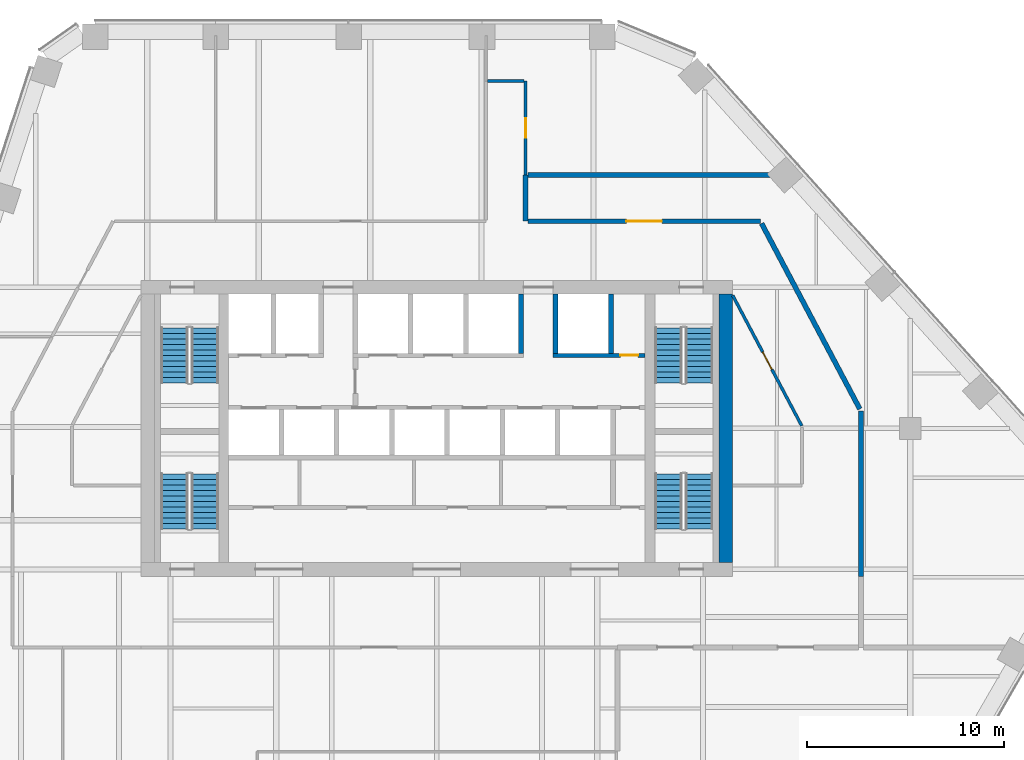
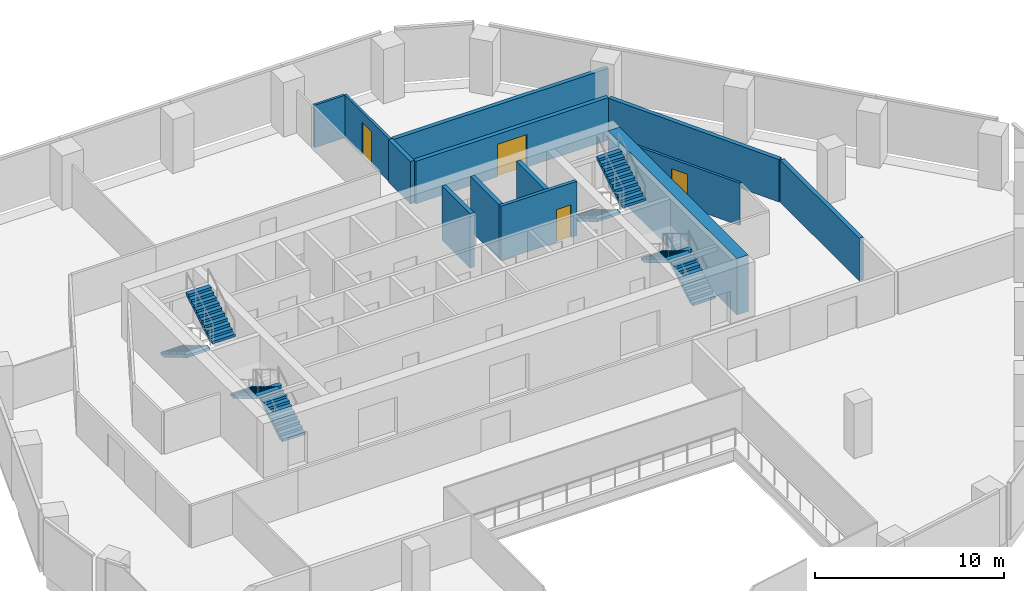
# One storey, part 13 of 16: 13 walls, 8 stair flights, 4 doors, 4 openings, 4 elements without a shape of their own.
"""IFC4 building model written with IfcOpenShell, lengths in metres."""

from ifc_helpers import new_model, si_unit, direction, frame, frame_2d, origin, place, context, subcontext, project, spatial, polyline, rectangle, outline, extrude, material, layer, layer_set, type_object, element, fill, aggregate, save


model = new_model("IFC4")

# Units and contexts
model_context = context("Model", 3, precision=1e-05, world=origin(), true_north=direction((0.0, 1.0)))
body_context = subcontext(model_context, "Body", "Model", "MODEL_VIEW")
ifc_project = project(units=[si_unit("LENGTHUNIT", "METRE"), si_unit("AREAUNIT", "SQUARE_METRE"), si_unit("VOLUMEUNIT", "CUBIC_METRE"), si_unit("PLANEANGLEUNIT", "RADIAN"), si_unit("MASSUNIT", "GRAM", prefix="KILO")], contexts=[model_context])

# Site, building, storey
site_placement = place(None, origin())
site = spatial("IfcSite", under=ifc_project, at=site_placement, CompositionType="ELEMENT")
building_placement = place(site_placement, origin())
building = spatial("IfcBuilding", under=site, at=building_placement, Name="Isthmus Gate Tower", CompositionType="ELEMENT")
storey_placement = place(building_placement, frame((0.0, 0.0, 170.800048828125)))
storey = spatial("IfcBuildingStorey", under=building, at=storey_placement, Name="L42", CompositionType="ELEMENT", Elevation=170.800048828125)

# Walls
ifc_material_1 = material(Name="Double-leaf acoustic stud wall, fire-rated", Category="gypsum")
ifc_layer_1 = layer(ifc_material_1, 0.25)
ifc_layer_set_1 = layer_set([ifc_layer_1], Name="ACOUSTIC WALL 250 60 MIN")
wall_type_1 = type_object("IfcWallType", Name="ACOUSTIC WALL 250 60 MIN", PredefinedType="PARTITIONING", material=ifc_layer_set_1)
wall_1_placement = place(storey_placement, frame((4.5, 20.341064453125, 0.0), z_axis=(0.0, 0.0, 1.0), x_axis=(0.0, -1.0, 0.0)))
element("IfcWall", 1, at=wall_1_placement, inside=storey, type_object=wall_type_1, Name="L42 Acoustic Wall 250 60 Min", PredefinedType="PARTITIONING", context=body_context, shape_type="SweptSolid", body=[
    extrude(rectangle(XDim=2.341064453125, YDim=0.25, at=frame_2d((1.17041015625, 0.0))), origin(), (0.0, 0.0, 1.0), 2.7412109375),
])
wall_2_placement = place(storey_placement, frame((21.5, 8.373046875, 0.0), z_axis=(0.0, 0.0, 1.0), x_axis=(0.0, -1.0, 0.0)))
element("IfcWall", 2, at=wall_2_placement, inside=storey, type_object=wall_type_1, Name="L42 Acoustic Wall 250 60 Min", PredefinedType="PARTITIONING", context=body_context, shape_type="SweptSolid", body=[
    extrude(rectangle(XDim=8.373046875, YDim=0.25, at=frame_2d((4.1865234375, 0.0))), origin(), (0.0, 0.0, 1.0), 2.7412109375),
])
wall_3_placement = place(storey_placement, frame((4.625, 20.341064453125, 0.0), z_axis=(0.0, 0.0, 1.0), x_axis=(1.0, 0.0, 0.0)))
element("IfcWall", 3, at=wall_3_placement, inside=storey, type_object=wall_type_1, Name="L42 Acoustic Wall 250 60 Min", PredefinedType="PARTITIONING", context=body_context, shape_type="SweptSolid", body=[
    extrude(rectangle(XDim=13.10595703125, YDim=0.25, at=frame_2d((6.552978515625, 0.0))), origin(), (0.0, 0.0, 1.0), 2.7412109375),
])

# Wall, opening, door
wall_4_placement = place(storey_placement, frame((4.625, 18.0, 0.0), z_axis=(0.0, 0.0, 1.0), x_axis=(1.0, 0.0, 0.0)))
wall_4 = element("IfcWall", 4, at=wall_4_placement, inside=storey, type_object=wall_type_1, Name="L42 Acoustic Wall 250 60 Min", PredefinedType="PARTITIONING", context=body_context, shape_type="SweptSolid", body=[
    extrude(rectangle(XDim=11.778076171875, YDim=0.25, at=frame_2d((5.88916015625, 0.0))), origin(), (0.0, 0.0, 1.0), 2.7412109375),
])
opening_1_placement = place(wall_4_placement, frame((4.989013671875, 0.0, 0.0)))
opening_1 = element("IfcOpeningElement", 5, at=opening_1_placement, cuts=wall_4, Name="Opening DT-T4A-06", PredefinedType="OPENING", context=body_context, shape_type="SweptSolid", body=[
    extrude(rectangle(XDim=1.800048828125, YDim=2.10009765625, at=frame_2d((0.89990234375, 1.050048828125))), frame((0.0, 0.135009765625, 0.0), z_axis=(0.0, -1.0, 0.0), x_axis=(1.0, 0.0, 0.0)), (0.0, 0.0, 1.0), 0.27001953125),
])
ifc_material_2 = material(Name="Solid core timber door leaf, fire-rated", Category="wood")
door_type_1 = type_object("IfcDoorType", Name="FIRE DOOR ACOUSTIC ROOM 1800 X 2100 60 MIN", OperationType="DOUBLE_DOOR_DOUBLE_SWING", PredefinedType="DOOR", material=ifc_material_2)
door_1_placement = place(opening_1_placement, origin())
door_1 = element("IfcDoor", 6, at=door_1_placement, inside=storey, type_object=door_type_1, Name="L42 room door", OperationType="DOUBLE_DOOR_DOUBLE_SWING", OverallHeight=2.10009765625, OverallWidth=1.800048828125, PredefinedType="DOOR", context=body_context, shape_type="SweptSolid", body=[
    extrude(rectangle(XDim=1.800048828125, YDim=2.10009765625, at=frame_2d((0.89990234375, 1.050048828125))), frame((0.0, 0.02490234375, 0.0), z_axis=(0.0, -1.0, 0.0), x_axis=(1.0, 0.0, 0.0)), (0.0, 0.0, 1.0), 0.050048828125),
])
fill(opening_1, door_1)

# Wall
wall_5_placement = place(storey_placement, frame((16.46142578125, 17.889404296875, 0.0), z_axis=(0.0, 0.0, 1.0), x_axis=(0.467911961302, -0.883775082513, 0.0)))
element("IfcWall", 7, at=wall_5_placement, inside=storey, type_object=wall_type_1, Name="L42 Acoustic Wall 250 60 Min", PredefinedType="PARTITIONING", context=body_context, shape_type="SweptSolid", body=[
    extrude(rectangle(XDim=10.64306640625, YDim=0.25, at=frame_2d((5.321533203125, 0.0))), origin(), (0.0, 0.0, 1.0), 2.7412109375),
])

# Wall, opening, door
ifc_material_3 = material(Name="Gypsum board on steel studs, fire-rated", Category="steel")
ifc_layer_2 = layer(ifc_material_3, 0.14990234375)
ifc_layer_set_2 = layer_set([ifc_layer_2], Name="CORRIDOR WALL 150 60 MIN")
wall_type_2 = type_object("IfcWallType", Name="CORRIDOR WALL 150 60 MIN", PredefinedType="PARTITIONING", material=ifc_layer_set_2)
wall_6_placement = place(storey_placement, frame((4.5, 25.10009765625, 0.0), z_axis=(0.0, 0.0, 1.0), x_axis=(0.0, -1.0, 0.0)))
wall_6 = element("IfcWall", 8, at=wall_6_placement, inside=storey, type_object=wall_type_2, Name="L42 Corridor Wall 150 60 Min", PredefinedType="PARTITIONING", context=body_context, shape_type="SweptSolid", body=[
    extrude(rectangle(XDim=4.759033203125, YDim=0.14990234375, at=frame_2d((2.37939453125, 0.0))), origin(), (0.0, 0.0, 1.0), 2.7412109375),
])
opening_2_placement = place(wall_6_placement, frame((1.87939453125, 0.0, 0.0)))
opening_2 = element("IfcOpeningElement", 9, at=opening_2_placement, cuts=wall_6, Name="Opening DT-T4A-02", PredefinedType="OPENING", context=body_context, shape_type="SweptSolid", body=[
    extrude(rectangle(XDim=1.0, YDim=2.10009765625, at=frame_2d((0.5, 1.050048828125))), frame((0.0, 0.0849609375, 0.0), z_axis=(0.0, -1.0, 0.0), x_axis=(1.0, 0.0, 0.0)), (0.0, 0.0, 1.0), 0.169921875),
])
ifc_material_4 = material(Name="Solid core timber door leaf, fire-rated", Category="wood")
door_type_2 = type_object("IfcDoorType", Name="FIRE DOOR ROOM 1000 X 2100 60 MIN", OperationType="SINGLE_SWING_LEFT", PredefinedType="DOOR", material=ifc_material_4)
door_2_placement = place(opening_2_placement, origin())
door_2 = element("IfcDoor", 10, at=door_2_placement, inside=storey, type_object=door_type_2, Name="L42 room door", OperationType="SINGLE_SWING_RIGHT", OverallHeight=2.10009765625, OverallWidth=1.0, PredefinedType="DOOR", context=body_context, shape_type="SweptSolid", body=[
    extrude(rectangle(XDim=1.0, YDim=2.10009765625, at=frame_2d((0.5, 1.050048828125))), frame((0.0, 0.02490234375, 0.0), z_axis=(0.0, -1.0, 0.0), x_axis=(1.0, 0.0, 0.0)), (0.0, 0.0, 1.0), 0.050048828125),
])
fill(opening_2, door_2)

wall_7_placement = place(storey_placement, frame((18.5, 7.626953125, 0.0), z_axis=(0.0, 0.0, 1.0), x_axis=(-0.467835241243, 0.883815697446, 0.0)))
wall_7 = element("IfcWall", 11, at=wall_7_placement, inside=storey, type_object=wall_type_2, Name="L42 Corridor Wall 150 60 Min", PredefinedType="PARTITIONING", context=body_context, shape_type="SweptSolid", body=[
    extrude(rectangle(XDim=7.481201171875, YDim=0.14990234375, at=frame_2d((3.74072265625, 0.0))), origin(), (0.0, 0.0, 1.0), 2.7412109375),
])
opening_3_placement = place(wall_7_placement, frame((3.240478515625, 0.0, 0.0)))
opening_3 = element("IfcOpeningElement", 12, at=opening_3_placement, cuts=wall_7, Name="Opening DT-T4A-05", PredefinedType="OPENING", context=body_context, shape_type="SweptSolid", body=[
    extrude(rectangle(XDim=1.0, YDim=2.10009765625, at=frame_2d((0.5, 1.050048828125))), frame((0.0, 0.0849609375, 0.0), z_axis=(0.0, -1.0, 0.0), x_axis=(1.0, 0.0, 0.0)), (0.0, 0.0, 1.0), 0.169921875),
])
door_3_placement = place(opening_3_placement, origin())
door_3 = element("IfcDoor", 13, at=door_3_placement, inside=storey, type_object=door_type_2, Name="L42 room door", OperationType="SINGLE_SWING_RIGHT", OverallHeight=2.10009765625, OverallWidth=1.0, PredefinedType="DOOR", context=body_context, shape_type="SweptSolid", body=[
    extrude(rectangle(XDim=1.0, YDim=2.10009765625, at=frame_2d((0.5, 1.050048828125))), frame((0.0, 0.02490234375, 0.0), z_axis=(0.0, -1.0, 0.0), x_axis=(1.0, 0.0, 0.0)), (0.0, 0.0, 1.0), 0.050048828125),
])
fill(opening_3, door_3)

# Walls
wall_8_placement = place(storey_placement, frame((2.574951171875, 25.10009765625, 0.0), z_axis=(0.0, 0.0, 1.0), x_axis=(1.0, 0.0, 0.0)))
element("IfcWall", 14, at=wall_8_placement, inside=storey, type_object=wall_type_2, Name="L42 Corridor Wall 150 60 Min", PredefinedType="PARTITIONING", context=body_context, shape_type="SweptSolid", body=[
    extrude(rectangle(XDim=1.85009765625, YDim=0.14990234375, at=frame_2d((0.925048828125, 0.0))), origin(), (0.0, 0.0, 1.0), 2.7412109375),
])
ifc_material_5 = material(Name="Concrete f'c 60 MPa", Category="concrete")
ifc_layer_3 = layer(ifc_material_5, 0.699951171875)
ifc_layer_set_3 = layer_set([ifc_layer_3], Name="RC CORE WALL 700 F'C 60")
wall_type_3 = type_object("IfcWallType", Name="RC CORE WALL 700 F'C 60", PredefinedType="SOLIDWALL", material=ifc_layer_set_3)
wall_9_placement = place(storey_placement, frame((14.64990234375, 0.699951171875, -0.150146484375), z_axis=(0.0, 0.0, 1.0), x_axis=(0.0, 1.0, 0.0)))
element("IfcWall", 15, at=wall_9_placement, inside=storey, type_object=wall_type_3, Name="str-corewall-L42-E", PredefinedType="SOLIDWALL", context=body_context, shape_type="SweptSolid", body=[
    extrude(rectangle(XDim=13.60009765625, YDim=0.699951171875, at=frame_2d((6.800048828125, 0.0))), origin(), (0.0, 0.0, 1.0), 3.650146484375),
])

# Wall, opening, door
ifc_material_6 = material(Name="Fire-rated blockwork masonry, 15 MPa", Category="masonry")
ifc_layer_4 = layer(ifc_material_6, 0.199951171875)
ifc_layer_set_4 = layer_set([ifc_layer_4], Name="SHAFT FRONT WALL 200 120 MIN")
wall_type_4 = type_object("IfcWallType", Name="SHAFT FRONT WALL 200 120 MIN", PredefinedType="PARTITIONING", material=ifc_layer_set_4)
wall_10_placement = place(storey_placement, frame((5.89990234375, 11.199951171875, 0.0), z_axis=(0.0, 0.0, 1.0), x_axis=(1.0, 0.0, 0.0)))
wall_10 = element("IfcWall", 16, at=wall_10_placement, inside=storey, type_object=wall_type_4, Name="L42 SHAFT FRONT WALL 200 120 MIN", PredefinedType="PARTITIONING", context=body_context, shape_type="SweptSolid", body=[
    extrude(rectangle(XDim=4.650146484375, YDim=0.199951171875, at=frame_2d((2.3251953125, 0.0))), origin(), (0.0, 0.0, 1.0), 3.5),
])
opening_4_placement = place(wall_10_placement, frame((3.39990234375, 0.0, 0.0)))
opening_4 = element("IfcOpeningElement", 17, at=opening_4_placement, cuts=wall_10, Name="Opening DC-A13-08", PredefinedType="OPENING", context=body_context, shape_type="SweptSolid", body=[
    extrude(rectangle(XDim=0.89990234375, YDim=2.10009765625, at=frame_2d((0.449951171875, 1.050048828125))), frame((0.0, 0.10986328125, 0.0), z_axis=(0.0, -1.0, 0.0), x_axis=(1.0, 0.0, 0.0)), (0.0, 0.0, 1.0), 0.219970703125),
])
ifc_material_7 = material(Name="Steel door leaf, fire-rated", Category="steel")
door_type_3 = type_object("IfcDoorType", Name="RISER FIRE DOOR 900 X 2100 90 MIN", OperationType="SINGLE_SWING_LEFT", PredefinedType="DOOR", material=ifc_material_7)
door_4_placement = place(opening_4_placement, origin())
door_4 = element("IfcDoor", 18, at=door_4_placement, inside=storey, type_object=door_type_3, Name="Riser Door", OperationType="SINGLE_SWING_LEFT", OverallHeight=2.10009765625, OverallWidth=0.89990234375, PredefinedType="DOOR", context=body_context, shape_type="SweptSolid", body=[
    extrude(rectangle(XDim=0.89990234375, YDim=2.10009765625, at=frame_2d((0.449951171875, 1.050048828125))), frame((0.0, 0.02490234375, 0.0), z_axis=(0.0, -1.0, 0.0), x_axis=(1.0, 0.0, 0.0)), (0.0, 0.0, 1.0), 0.050048828125),
])
fill(opening_4, door_4)

# Walls
ifc_material_8 = material(Name="Fire-rated blockwork masonry, 15 MPa", Category="masonry")
ifc_layer_5 = layer(ifc_material_8, 0.25)
ifc_layer_set_5 = layer_set([ifc_layer_5], Name="SHAFT WALL 250 120 MIN")
wall_type_5 = type_object("IfcWallType", Name="SHAFT WALL 250 120 MIN", PredefinedType="PARTITIONING", material=ifc_layer_set_5)
for number, where, z_axis, x_axis, name in (
    (19, (4.27490234375, 11.300048828125, 0.0), (0.0, 0.0, 1.0), (0.0, 1.0, 0.0), "L42 SHAFT WALL 250 120 MIN"),
    (20, (6.02490234375, 11.300048828125, 0.0), (0.0, 0.0, 1.0), (0.0, 1.0, 0.0), "L42 SHAFT WALL 250 120 MIN"),
    (21, (8.824951171875, 11.300048828125, 0.0), (0.0, 0.0, 1.0), (0.0, 1.0, 0.0), "L42 SHAFT WALL 250 120 MIN"),
):
    element("IfcWall", number, at=place(storey_placement, frame(where, z_axis=z_axis, x_axis=x_axis)), inside=storey, type_object=wall_type_5, Name=name, PredefinedType="PARTITIONING", context=body_context, shape_type="SweptSolid", body=[
        extrude(rectangle(XDim=3.0, YDim=0.25, at=frame_2d((1.5, 0.0))), origin(), (0.0, 0.0, 1.0), 3.5),
    ])

# Stair, stair flights
ifc_material_9 = material(Name="Concrete f'c 40 MPa", Category="concrete")
stair_type = type_object("IfcStairType", Name="CORE STAIR 22 RISERS", PredefinedType="HALF_TURN_STAIR", material=ifc_material_9)
stair_1_placement = place(storey_placement, origin())
stair_1 = element("IfcStair", 22, at=stair_1_placement, inside=storey, type_object=stair_type, Name="L42 Exit Stair 1", PredefinedType="HALF_TURN_STAIR")
ifc_material_10 = material(Name="Concrete f'c 40 MPa", Category="concrete")
stair_flight_type = type_object("IfcStairFlightType", Name="STAIR FLIGHT RC 1400", PredefinedType="STRAIGHT", material=ifc_material_10)
stair_flight_1_placement = place(storey_placement, frame((-13.300048828125, 12.60009765625, 0.0), z_axis=(0.0, 0.0, 1.0), x_axis=(0.0, -1.0, 0.0)))
stair_flight_1 = element("IfcStairFlight", 23, at=stair_flight_1_placement, type_object=stair_flight_type, Name="ST1 flight 1", NumberOfRisers=11, NumberOfTreads=10, PredefinedType="STRAIGHT", RiserHeight=0.165909091, TreadLength=0.28, context=body_context, shape_type="SweptSolid", body=[
    extrude(outline(polyline([(0.0, 0.0), (0.0, 0.166015625), (0.280029296875, 0.166015625), (0.280029296875, 0.331787109375), (0.56005859375, 0.331787109375), (0.56005859375, 0.497802734375), (0.840087890625, 0.497802734375), (0.840087890625, 0.66357421875), (1.1201171875, 0.66357421875), (1.1201171875, 0.82958984375), (1.39990234375, 0.82958984375), (1.39990234375, 0.995361328125), (1.679931640625, 0.995361328125), (1.679931640625, 1.161376953125), (1.9599609375, 1.161376953125), (1.9599609375, 1.327392578125), (2.239990234375, 1.327392578125), (2.239990234375, 1.4931640625), (2.52001953125, 1.4931640625), (2.52001953125, 1.6591796875), (2.800048828125, 1.6591796875), (2.800048828125, 1.824951171875), (2.800048828125, 1.48486328125), (0.2939453125, 0.0), (0.0, 0.0)])), frame((0.0, 0.699951171875, 0.0), z_axis=(0.0, -1.0, 0.0), x_axis=(1.0, 0.0, 0.0)), (0.0, 0.0, 1.0), 1.39990234375),
])
stair_flight_2_placement = place(storey_placement, frame((-11.75, 9.800048828125, 1.824951171875), z_axis=(0.0, 0.0, 1.0), x_axis=(0.0, 1.0, 0.0)))
stair_flight_2 = element("IfcStairFlight", 24, at=stair_flight_2_placement, type_object=stair_flight_type, Name="ST1 flight 2", NumberOfRisers=11, NumberOfTreads=10, PredefinedType="STRAIGHT", RiserHeight=0.165909091, TreadLength=0.28, context=body_context, shape_type="SweptSolid", body=[
    extrude(outline(polyline([(0.0, 0.0), (0.0, 0.166015625), (0.280029296875, 0.166015625), (0.280029296875, 0.331787109375), (0.56005859375, 0.331787109375), (0.56005859375, 0.497802734375), (0.840087890625, 0.497802734375), (0.840087890625, 0.66357421875), (1.1201171875, 0.66357421875), (1.1201171875, 0.82958984375), (1.39990234375, 0.82958984375), (1.39990234375, 0.995361328125), (1.679931640625, 0.995361328125), (1.679931640625, 1.161376953125), (1.9599609375, 1.161376953125), (1.9599609375, 1.327392578125), (2.239990234375, 1.327392578125), (2.239990234375, 1.4931640625), (2.52001953125, 1.4931640625), (2.52001953125, 1.6591796875), (2.800048828125, 1.6591796875), (2.800048828125, 1.824951171875), (2.800048828125, 1.48486328125), (0.2939453125, 0.0), (0.0, 0.0)])), frame((0.0, 0.699951171875, 0.0), z_axis=(0.0, -1.0, 0.0), x_axis=(1.0, 0.0, 0.0)), (0.0, 0.0, 1.0), 1.39990234375),
])
aggregate(stair_1, [stair_flight_1, stair_flight_2])

stair_2_placement = place(storey_placement, origin())
stair_2 = element("IfcStair", 25, at=stair_2_placement, inside=storey, type_object=stair_type, Name="L42 Exit Stair 2", PredefinedType="HALF_TURN_STAIR")
stair_flight_3_placement = place(storey_placement, frame((11.75, 12.60009765625, 0.0), z_axis=(0.0, 0.0, 1.0), x_axis=(0.0, -1.0, 0.0)))
stair_flight_3 = element("IfcStairFlight", 26, at=stair_flight_3_placement, type_object=stair_flight_type, Name="ST2 flight 1", NumberOfRisers=11, NumberOfTreads=10, PredefinedType="STRAIGHT", RiserHeight=0.165909091, TreadLength=0.28, context=body_context, shape_type="SweptSolid", body=[
    extrude(outline(polyline([(0.0, 0.0), (0.0, 0.166015625), (0.280029296875, 0.166015625), (0.280029296875, 0.331787109375), (0.56005859375, 0.331787109375), (0.56005859375, 0.497802734375), (0.840087890625, 0.497802734375), (0.840087890625, 0.66357421875), (1.1201171875, 0.66357421875), (1.1201171875, 0.82958984375), (1.39990234375, 0.82958984375), (1.39990234375, 0.995361328125), (1.679931640625, 0.995361328125), (1.679931640625, 1.161376953125), (1.9599609375, 1.161376953125), (1.9599609375, 1.327392578125), (2.239990234375, 1.327392578125), (2.239990234375, 1.4931640625), (2.52001953125, 1.4931640625), (2.52001953125, 1.6591796875), (2.800048828125, 1.6591796875), (2.800048828125, 1.824951171875), (2.800048828125, 1.48486328125), (0.2939453125, 0.0), (0.0, 0.0)])), frame((0.0, 0.699951171875, 0.0), z_axis=(0.0, -1.0, 0.0), x_axis=(1.0, 0.0, 0.0)), (0.0, 0.0, 1.0), 1.39990234375),
])
stair_flight_4_placement = place(storey_placement, frame((13.300048828125, 9.800048828125, 1.824951171875), z_axis=(0.0, 0.0, 1.0), x_axis=(0.0, 1.0, 0.0)))
stair_flight_4 = element("IfcStairFlight", 27, at=stair_flight_4_placement, type_object=stair_flight_type, Name="ST2 flight 2", NumberOfRisers=11, NumberOfTreads=10, PredefinedType="STRAIGHT", RiserHeight=0.165909091, TreadLength=0.28, context=body_context, shape_type="SweptSolid", body=[
    extrude(outline(polyline([(0.0, 0.0), (0.0, 0.166015625), (0.280029296875, 0.166015625), (0.280029296875, 0.331787109375), (0.56005859375, 0.331787109375), (0.56005859375, 0.497802734375), (0.840087890625, 0.497802734375), (0.840087890625, 0.66357421875), (1.1201171875, 0.66357421875), (1.1201171875, 0.82958984375), (1.39990234375, 0.82958984375), (1.39990234375, 0.995361328125), (1.679931640625, 0.995361328125), (1.679931640625, 1.161376953125), (1.9599609375, 1.161376953125), (1.9599609375, 1.327392578125), (2.239990234375, 1.327392578125), (2.239990234375, 1.4931640625), (2.52001953125, 1.4931640625), (2.52001953125, 1.6591796875), (2.800048828125, 1.6591796875), (2.800048828125, 1.824951171875), (2.800048828125, 1.48486328125), (0.2939453125, 0.0), (0.0, 0.0)])), frame((0.0, 0.699951171875, 0.0), z_axis=(0.0, -1.0, 0.0), x_axis=(1.0, 0.0, 0.0)), (0.0, 0.0, 1.0), 1.39990234375),
])
aggregate(stair_2, [stair_flight_3, stair_flight_4])

stair_3_placement = place(storey_placement, origin())
stair_3 = element("IfcStair", 28, at=stair_3_placement, inside=storey, type_object=stair_type, Name="L42 Exit Stair 7", PredefinedType="HALF_TURN_STAIR")
stair_flight_5_placement = place(storey_placement, frame((-11.75, 2.39990234375, 0.0), z_axis=(0.0, 0.0, 1.0), x_axis=(0.0, 1.0, 0.0)))
stair_flight_5 = element("IfcStairFlight", 29, at=stair_flight_5_placement, type_object=stair_flight_type, Name="ST7 flight 1", NumberOfRisers=11, NumberOfTreads=10, PredefinedType="STRAIGHT", RiserHeight=0.165909091, TreadLength=0.28, context=body_context, shape_type="SweptSolid", body=[
    extrude(outline(polyline([(0.0, 0.0), (0.0, 0.166015625), (0.280029296875, 0.166015625), (0.280029296875, 0.331787109375), (0.56005859375, 0.331787109375), (0.56005859375, 0.497802734375), (0.840087890625, 0.497802734375), (0.840087890625, 0.66357421875), (1.1201171875, 0.66357421875), (1.1201171875, 0.82958984375), (1.39990234375, 0.82958984375), (1.39990234375, 0.995361328125), (1.679931640625, 0.995361328125), (1.679931640625, 1.161376953125), (1.9599609375, 1.161376953125), (1.9599609375, 1.327392578125), (2.239990234375, 1.327392578125), (2.239990234375, 1.4931640625), (2.52001953125, 1.4931640625), (2.52001953125, 1.6591796875), (2.800048828125, 1.6591796875), (2.800048828125, 1.824951171875), (2.800048828125, 1.48486328125), (0.2939453125, 0.0), (0.0, 0.0)])), frame((0.0, 0.699951171875, 0.0), z_axis=(0.0, -1.0, 0.0), x_axis=(1.0, 0.0, 0.0)), (0.0, 0.0, 1.0), 1.39990234375),
])
stair_flight_6_placement = place(storey_placement, frame((-13.300048828125, 5.199951171875, 1.824951171875), z_axis=(0.0, 0.0, 1.0), x_axis=(0.0, -1.0, 0.0)))
stair_flight_6 = element("IfcStairFlight", 30, at=stair_flight_6_placement, type_object=stair_flight_type, Name="ST7 flight 2", NumberOfRisers=11, NumberOfTreads=10, PredefinedType="STRAIGHT", RiserHeight=0.165909091, TreadLength=0.28, context=body_context, shape_type="SweptSolid", body=[
    extrude(outline(polyline([(0.0, 0.0), (0.0, 0.166015625), (0.280029296875, 0.166015625), (0.280029296875, 0.331787109375), (0.56005859375, 0.331787109375), (0.56005859375, 0.497802734375), (0.840087890625, 0.497802734375), (0.840087890625, 0.66357421875), (1.1201171875, 0.66357421875), (1.1201171875, 0.82958984375), (1.39990234375, 0.82958984375), (1.39990234375, 0.995361328125), (1.679931640625, 0.995361328125), (1.679931640625, 1.161376953125), (1.9599609375, 1.161376953125), (1.9599609375, 1.327392578125), (2.239990234375, 1.327392578125), (2.239990234375, 1.4931640625), (2.52001953125, 1.4931640625), (2.52001953125, 1.6591796875), (2.800048828125, 1.6591796875), (2.800048828125, 1.824951171875), (2.800048828125, 1.48486328125), (0.2939453125, 0.0), (0.0, 0.0)])), frame((0.0, 0.699951171875, 0.0), z_axis=(0.0, -1.0, 0.0), x_axis=(1.0, 0.0, 0.0)), (0.0, 0.0, 1.0), 1.39990234375),
])
aggregate(stair_3, [stair_flight_5, stair_flight_6])

stair_4_placement = place(storey_placement, origin())
stair_4 = element("IfcStair", 31, at=stair_4_placement, inside=storey, type_object=stair_type, Name="L42 Exit Stair 8", PredefinedType="HALF_TURN_STAIR")
stair_flight_7_placement = place(storey_placement, frame((13.300048828125, 2.39990234375, 0.0), z_axis=(0.0, 0.0, 1.0), x_axis=(0.0, 1.0, 0.0)))
stair_flight_7 = element("IfcStairFlight", 32, at=stair_flight_7_placement, type_object=stair_flight_type, Name="ST8 flight 1", NumberOfRisers=11, NumberOfTreads=10, PredefinedType="STRAIGHT", RiserHeight=0.165909091, TreadLength=0.28, context=body_context, shape_type="SweptSolid", body=[
    extrude(outline(polyline([(0.0, 0.0), (0.0, 0.166015625), (0.280029296875, 0.166015625), (0.280029296875, 0.331787109375), (0.56005859375, 0.331787109375), (0.56005859375, 0.497802734375), (0.840087890625, 0.497802734375), (0.840087890625, 0.66357421875), (1.1201171875, 0.66357421875), (1.1201171875, 0.82958984375), (1.39990234375, 0.82958984375), (1.39990234375, 0.995361328125), (1.679931640625, 0.995361328125), (1.679931640625, 1.161376953125), (1.9599609375, 1.161376953125), (1.9599609375, 1.327392578125), (2.239990234375, 1.327392578125), (2.239990234375, 1.4931640625), (2.52001953125, 1.4931640625), (2.52001953125, 1.6591796875), (2.800048828125, 1.6591796875), (2.800048828125, 1.824951171875), (2.800048828125, 1.48486328125), (0.2939453125, 0.0), (0.0, 0.0)])), frame((0.0, 0.699951171875, 0.0), z_axis=(0.0, -1.0, 0.0), x_axis=(1.0, 0.0, 0.0)), (0.0, 0.0, 1.0), 1.39990234375),
])
stair_flight_8_placement = place(storey_placement, frame((11.75, 5.199951171875, 1.824951171875), z_axis=(0.0, 0.0, 1.0), x_axis=(0.0, -1.0, 0.0)))
stair_flight_8 = element("IfcStairFlight", 33, at=stair_flight_8_placement, type_object=stair_flight_type, Name="ST8 flight 2", NumberOfRisers=11, NumberOfTreads=10, PredefinedType="STRAIGHT", RiserHeight=0.165909091, TreadLength=0.28, context=body_context, shape_type="SweptSolid", body=[
    extrude(outline(polyline([(0.0, 0.0), (0.0, 0.166015625), (0.280029296875, 0.166015625), (0.280029296875, 0.331787109375), (0.56005859375, 0.331787109375), (0.56005859375, 0.497802734375), (0.840087890625, 0.497802734375), (0.840087890625, 0.66357421875), (1.1201171875, 0.66357421875), (1.1201171875, 0.82958984375), (1.39990234375, 0.82958984375), (1.39990234375, 0.995361328125), (1.679931640625, 0.995361328125), (1.679931640625, 1.161376953125), (1.9599609375, 1.161376953125), (1.9599609375, 1.327392578125), (2.239990234375, 1.327392578125), (2.239990234375, 1.4931640625), (2.52001953125, 1.4931640625), (2.52001953125, 1.6591796875), (2.800048828125, 1.6591796875), (2.800048828125, 1.824951171875), (2.800048828125, 1.48486328125), (0.2939453125, 0.0), (0.0, 0.0)])), frame((0.0, 0.699951171875, 0.0), z_axis=(0.0, -1.0, 0.0), x_axis=(1.0, 0.0, 0.0)), (0.0, 0.0, 1.0), 1.39990234375),
])
aggregate(stair_4, [stair_flight_7, stair_flight_8])

save(model, "model.ifc")
